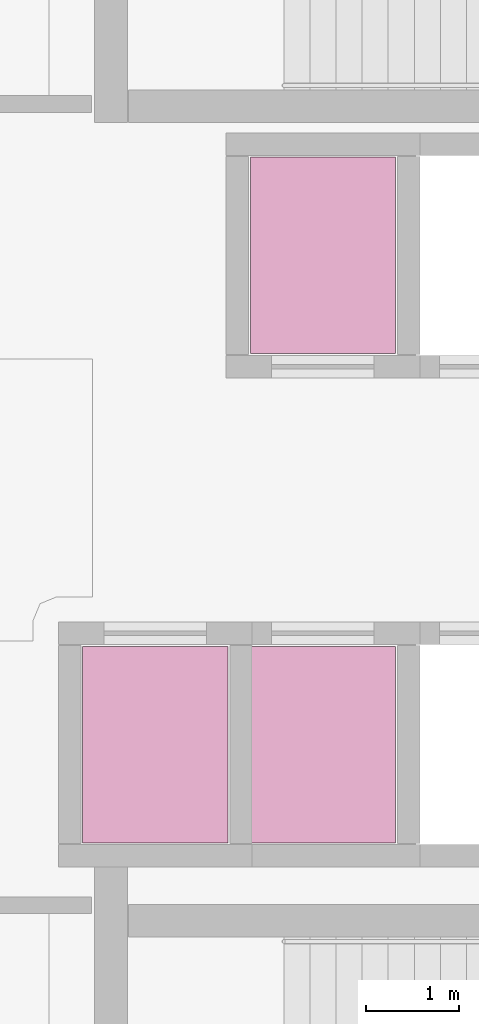
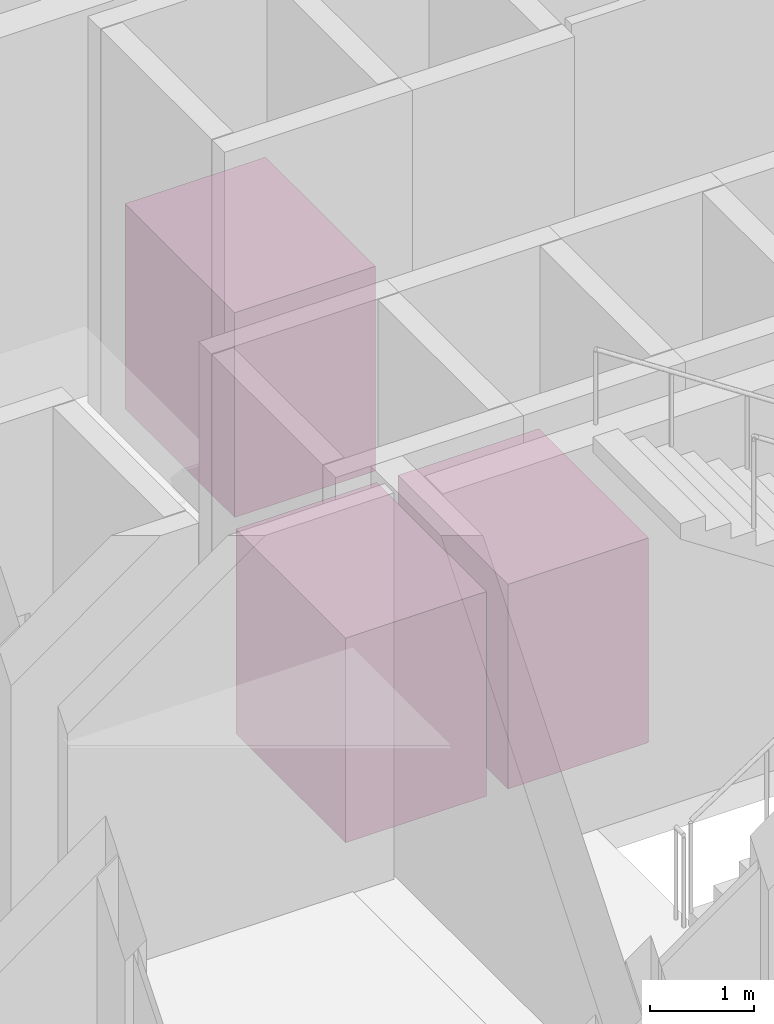
# One storey, part 36 of 36: 3 transport elements.
"""IFC4 building model written with IfcOpenShell, lengths in metres."""

from ifc_helpers import new_model, si_unit, direction, frame, origin, origin_2d, place, context, subcontext, project, spatial, rectangle, extrude, material, type_object, element, save


model = new_model("IFC4")

# Units and contexts
model_context = context("Model", 3, precision=1e-05, world=origin(), true_north=direction((0.0, 1.0)))
body_context = subcontext(model_context, "Body", "Model", "MODEL_VIEW")
ifc_project = project(units=[si_unit("LENGTHUNIT", "METRE"), si_unit("AREAUNIT", "SQUARE_METRE"), si_unit("VOLUMEUNIT", "CUBIC_METRE"), si_unit("PLANEANGLEUNIT", "RADIAN"), si_unit("MASSUNIT", "GRAM", prefix="KILO")], contexts=[model_context])

# Site, building, storey
site_placement = place(None, origin())
site = spatial("IfcSite", under=ifc_project, at=site_placement, CompositionType="ELEMENT")
building_placement = place(site_placement, origin())
building = spatial("IfcBuilding", under=site, at=building_placement, Name="Qorvath Tower", CompositionType="ELEMENT")
storey_placement = place(building_placement, frame((0.0, 0.0, 180.0)))
storey = spatial("IfcBuildingStorey", under=building, at=storey_placement, Name="L41", CompositionType="ELEMENT", Elevation=180.0)

# Transport elements
ifc_material = material(Name="Brushed stainless steel AISI 316", Category="steel")
transport_element_type = type_object("IfcTransportElementType", Name="LFT-PASS", PredefinedType="ELEVATOR", material=ifc_material)
for number, where, z_axis, x_axis, name in (
    (1, (-22.25, 2.625, 0.0), (0.0, 0.0, 1.0), (1.0, 0.0, 0.0), "Elevator PU-1"),
    (2, (-24.050048828125, -2.625, 0.0), (0.0, 0.0, 1.0), (1.0, 0.0, 0.0), "Elevator PU-2"),
    (3, (-22.25, -2.625, 0.0), (0.0, 0.0, 1.0), (1.0, 0.0, 0.0), "Elevator PU-3"),
):
    element("IfcTransportElement", number, at=place(storey_placement, frame(where, z_axis=z_axis, x_axis=x_axis)), inside=storey, type_object=transport_element_type, Name=name, PredefinedType="ELEVATOR", context=body_context, shape_type="SweptSolid", body=[
        extrude(rectangle(XDim=1.56005859375, YDim=2.110107421875, at=origin_2d()), origin(), (0.0, 0.0, 1.0), 2.39990234375),
    ])

save(model, "model.ifc")
